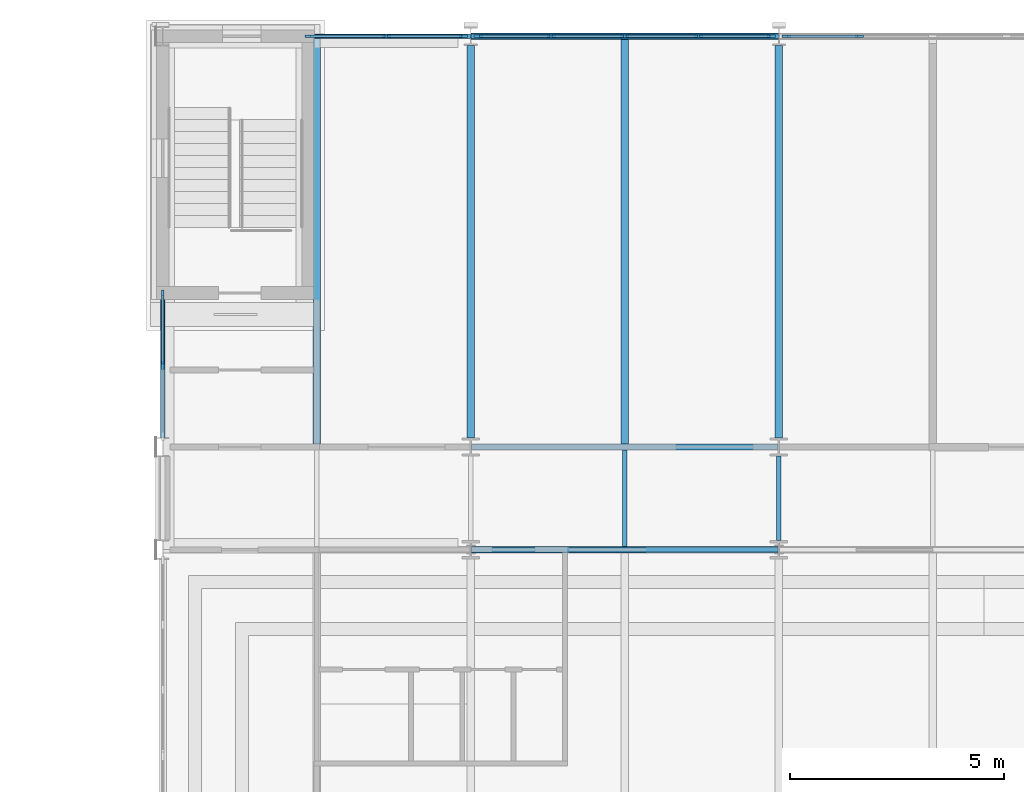
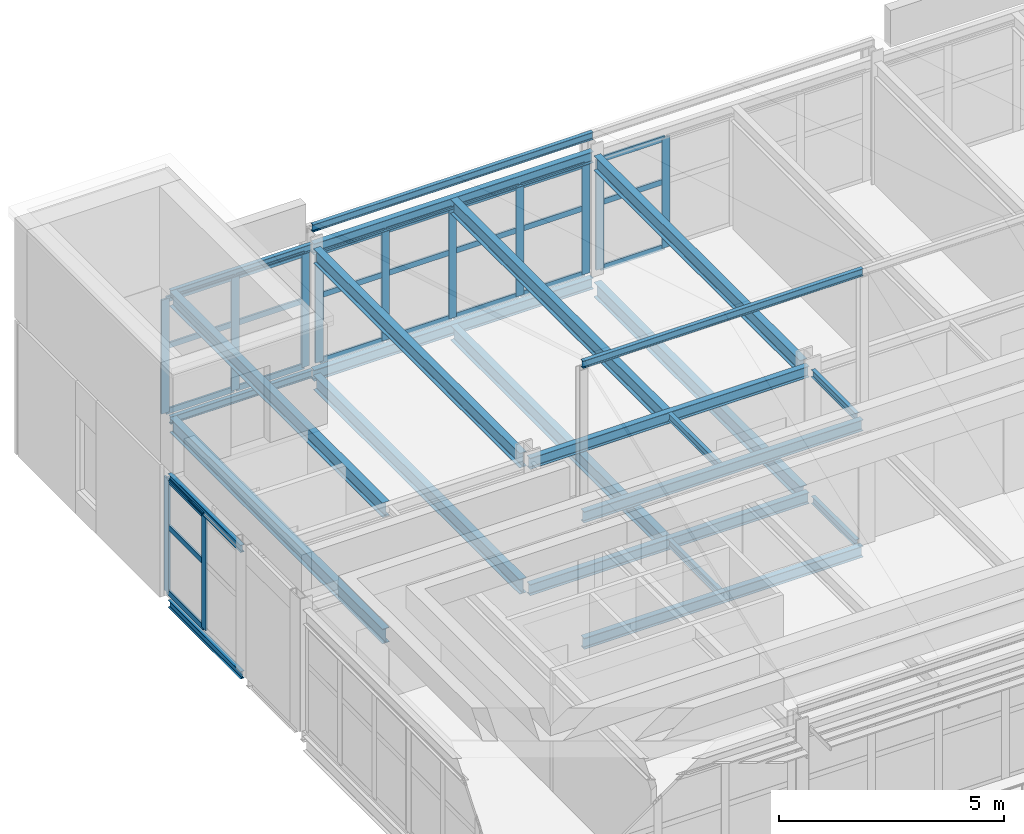
# One storey, part 29 of 68: 36 members, 24 beams, 4 elements without a shape of their own.
"""IFC4 building model written with IfcOpenShell, lengths in metres."""

from ifc_helpers import new_model, si_unit, direction, frame, origin, origin_2d, place, context, subcontext, project, spatial, rectangle, i_section, extrude, material, material_profile, profile_set, type_object, element, aggregate, save


model = new_model("IFC4")

# Units and contexts
model_context = context("Model", 3, precision=1e-05, world=origin(), true_north=direction((0.0, 1.0)))
body_context = subcontext(model_context, "Body", "Model", "MODEL_VIEW")
ifc_project = project(units=[si_unit("LENGTHUNIT", "METRE"), si_unit("AREAUNIT", "SQUARE_METRE"), si_unit("VOLUMEUNIT", "CUBIC_METRE"), si_unit("PLANEANGLEUNIT", "RADIAN"), si_unit("MASSUNIT", "GRAM", prefix="KILO")], contexts=[model_context])

# Site, building, storey
site_placement = place(None, origin())
site = spatial("IfcSite", under=ifc_project, at=site_placement, CompositionType="ELEMENT")
building_placement = place(site_placement, origin())
building = spatial("IfcBuilding", under=site, at=building_placement, Name="Kupolbacken Congress Centre", CompositionType="ELEMENT")
storey_placement = place(building_placement, frame((0.0, 0.0, 25.199951171875)))
storey = spatial("IfcBuildingStorey", under=building, at=storey_placement, Name="L07", CompositionType="ELEMENT", Elevation=25.199951171875)

# Beams
ifc_material_1 = material(Name="Steel S355", Category="steel")
ifc_material_profile_1 = material_profile(ifc_material_1, i_section(OverallWidth=0.10009765625, OverallDepth=0.199951171875, WebThickness=0.005615234375, FlangeThickness=0.008544921875, FilletRadius=0.011962890625, at=origin_2d()), Name="IPE 200")
ifc_profile_set_1 = profile_set([ifc_material_profile_1], Name="Steel S355")
beam_type_1 = type_object("IfcBeamType", Name="B01 beam IPE 200", PredefinedType="BEAM", material=ifc_profile_set_1)
beam_1_placement = place(storey_placement, frame((68.35009765625, 144.0, -0.239990234375), z_axis=(1.0, 0.0, 0.0), x_axis=(0.0, 1.0, 0.0)))
element("IfcBeam", 1, at=beam_1_placement, inside=storey, type_object=beam_type_1, Name="S/floor/T/L07/R025", PredefinedType="BEAM", context=body_context, shape_type="SweptSolid", body=[
    extrude(i_section(OverallWidth=0.10009765625, OverallDepth=0.199951171875, WebThickness=0.005615234375, FlangeThickness=0.008544921875, FilletRadius=0.011962890625, at=origin_2d()), origin(), (0.0, 0.0, 1.0), 3.639404296875),
])
beam_2_placement = place(storey_placement, frame((64.800048828125, 134.625, -0.239990234375), z_axis=(0.0, 1.0, 0.0), x_axis=(-1.0, 0.0, 0.0)))
element("IfcBeam", 2, at=beam_2_placement, inside=storey, type_object=beam_type_1, Name="S/floor/T/L07/S035", PredefinedType="BEAM", context=body_context, shape_type="SweptSolid", body=[
    extrude(i_section(OverallWidth=0.10009765625, OverallDepth=0.199951171875, WebThickness=0.005615234375, FlangeThickness=0.008544921875, FilletRadius=0.011962890625, at=origin_2d()), origin(), (0.0, 0.0, 1.0), 3.22509765625),
])
beam_3_placement = place(storey_placement, frame((75.60009765625, 132.074951171875, -0.239990234375), z_axis=(0.0, 1.0, 0.0), x_axis=(-1.0, 0.0, 0.0)))
element("IfcBeam", 3, at=beam_3_placement, inside=storey, type_object=beam_type_1, Name="S/floor/T/L07/S043", PredefinedType="BEAM", context=body_context, shape_type="SweptSolid", body=[
    extrude(i_section(OverallWidth=0.10009765625, OverallDepth=0.199951171875, WebThickness=0.005615234375, FlangeThickness=0.008544921875, FilletRadius=0.011962890625, at=origin_2d()), origin(), (0.0, 0.0, 1.0), 2.25),
])
beam_4_placement = place(storey_placement, frame((79.199951171875, 132.21240234375, -0.239990234375), z_axis=(0.0, 1.0, 0.0), x_axis=(-1.0, 0.0, 0.0)))
element("IfcBeam", 4, at=beam_4_placement, inside=storey, type_object=beam_type_1, Name="S/floor/T/L07/S046", PredefinedType="BEAM", context=body_context, shape_type="SweptSolid", body=[
    extrude(i_section(OverallWidth=0.10009765625, OverallDepth=0.199951171875, WebThickness=0.005615234375, FlangeThickness=0.008544921875, FilletRadius=0.011962890625, at=origin_2d()), origin(), (0.0, 0.0, 1.0), 1.97509765625),
])
beam_5_placement = place(storey_placement, frame((68.35009765625, 144.0, 3.18994140625), z_axis=(1.0, 0.0, 0.0), x_axis=(0.0, 1.0, 0.0)))
element("IfcBeam", 5, at=beam_5_placement, inside=storey, type_object=beam_type_1, Name="S/floor/T/ROOF/R025", PredefinedType="BEAM", context=body_context, shape_type="SweptSolid", body=[
    extrude(i_section(OverallWidth=0.10009765625, OverallDepth=0.199951171875, WebThickness=0.005615234375, FlangeThickness=0.008544921875, FilletRadius=0.011962890625, at=origin_2d()), origin(), (0.0, 0.0, 1.0), 3.639404296875),
])
beam_6_placement = place(storey_placement, frame((64.800048828125, 134.625, 3.18994140625), z_axis=(0.0, 1.0, 0.0), x_axis=(-1.0, 0.0, 0.0)))
element("IfcBeam", 6, at=beam_6_placement, inside=storey, type_object=beam_type_1, Name="S/floor/T/ROOF/S035", PredefinedType="BEAM", context=body_context, shape_type="SweptSolid", body=[
    extrude(i_section(OverallWidth=0.10009765625, OverallDepth=0.199951171875, WebThickness=0.005615234375, FlangeThickness=0.008544921875, FilletRadius=0.011962890625, at=origin_2d()), origin(), (0.0, 0.0, 1.0), 3.22509765625),
])
beam_7_placement = place(storey_placement, frame((75.60009765625, 132.074951171875, 3.18994140625), z_axis=(0.0, 1.0, 0.0), x_axis=(-1.0, 0.0, 0.0)))
element("IfcBeam", 7, at=beam_7_placement, inside=storey, type_object=beam_type_1, Name="S/floor/T/ROOF/S043", PredefinedType="BEAM", context=body_context, shape_type="SweptSolid", body=[
    extrude(i_section(OverallWidth=0.10009765625, OverallDepth=0.199951171875, WebThickness=0.005615234375, FlangeThickness=0.008544921875, FilletRadius=0.011962890625, at=origin_2d()), origin(), (0.0, 0.0, 1.0), 2.25),
])
beam_8_placement = place(storey_placement, frame((79.199951171875, 132.21240234375, 3.18994140625), z_axis=(0.0, 1.0, 0.0), x_axis=(-1.0, 0.0, 0.0)))
element("IfcBeam", 8, at=beam_8_placement, inside=storey, type_object=beam_type_1, Name="S/floor/T/ROOF/S046", PredefinedType="BEAM", context=body_context, shape_type="SweptSolid", body=[
    extrude(i_section(OverallWidth=0.10009765625, OverallDepth=0.199951171875, WebThickness=0.005615234375, FlangeThickness=0.008544921875, FilletRadius=0.011962890625, at=origin_2d()), origin(), (0.0, 0.0, 1.0), 1.97509765625),
])
for number, where, z_axis, x_axis, name in (
    (9, (72.0, 144.0, 3.699951171875), (1.0, 0.0, 0.0), (0.0, 1.0, 0.0), "E/T/roof/R1/high0"),
    (10, (72.0, 132.0, 7.27294921875), (1.0, 0.0, 0.0), (0.0, 1.0, 0.0), "E/T/roof/R1/ridge0"),
):
    element("IfcBeam", number, at=place(storey_placement, frame(where, z_axis=z_axis, x_axis=x_axis)), inside=storey, type_object=beam_type_1, Name=name, PredefinedType="BEAM", context=body_context, shape_type="SweptSolid", body=[
        extrude(i_section(OverallWidth=0.10009765625, OverallDepth=0.199951171875, WebThickness=0.005615234375, FlangeThickness=0.008544921875, FilletRadius=0.011962890625, at=origin_2d()), origin(), (0.0, 0.0, 1.0), 7.199951171875),
    ])
ifc_material_2 = material(Name="Steel S355", Category="steel")
ifc_material_profile_2 = material_profile(ifc_material_2, i_section(OverallWidth=0.14990234375, OverallDepth=0.300048828125, WebThickness=0.007080078125, FlangeThickness=0.0107421875, FilletRadius=0.014892578125, at=origin_2d()), Name="IPE 300")
ifc_profile_set_2 = profile_set([ifc_material_profile_2], Name="Steel S355")
beam_type_2 = type_object("IfcBeamType", Name="B04 beam IPE 300", PredefinedType="BEAM", material=ifc_profile_set_2)
for number, where, z_axis, x_axis, name in (
    (11, (72.016357421875, 132.0, -0.2900390625), (1.0, 0.0, 0.0), (0.0, 1.0, 0.0), "S/floor/T/L07/R010"),
    (12, (72.016357421875, 134.39990234375, -0.2900390625), (1.0, 0.0, 0.0), (0.0, 1.0, 0.0), "S/floor/T/L07/R018"),
):
    element("IfcBeam", number, at=place(storey_placement, frame(where, z_axis=z_axis, x_axis=x_axis)), inside=storey, type_object=beam_type_2, Name=name, PredefinedType="BEAM", context=body_context, shape_type="SweptSolid", body=[
        extrude(i_section(OverallWidth=0.14990234375, OverallDepth=0.300048828125, WebThickness=0.007080078125, FlangeThickness=0.0107421875, FilletRadius=0.014892578125, at=origin_2d()), origin(), (0.0, 0.0, 1.0), 7.167236328125),
    ])
beam_9_placement = place(storey_placement, frame((72.010498046875, 144.0, -0.2900390625), z_axis=(1.0, 0.0, 0.0), x_axis=(0.0, 1.0, 0.0)))
element("IfcBeam", 13, at=beam_9_placement, inside=storey, type_object=beam_type_2, Name="S/floor/T/L07/R026", PredefinedType="BEAM", context=body_context, shape_type="SweptSolid", body=[
    extrude(i_section(OverallWidth=0.14990234375, OverallDepth=0.300048828125, WebThickness=0.007080078125, FlangeThickness=0.0107421875, FilletRadius=0.014892578125, at=origin_2d()), origin(), (0.0, 0.0, 1.0), 7.178955078125),
])
for number, where, z_axis, x_axis, name in (
    (14, (72.016357421875, 132.0, 3.14013671875), (1.0, 0.0, 0.0), (0.0, 1.0, 0.0), "S/floor/T/ROOF/R010"),
    (15, (72.016357421875, 134.39990234375, 3.14013671875), (1.0, 0.0, 0.0), (0.0, 1.0, 0.0), "S/floor/T/ROOF/R018"),
):
    element("IfcBeam", number, at=place(storey_placement, frame(where, z_axis=z_axis, x_axis=x_axis)), inside=storey, type_object=beam_type_2, Name=name, PredefinedType="BEAM", context=body_context, shape_type="SweptSolid", body=[
        extrude(i_section(OverallWidth=0.14990234375, OverallDepth=0.300048828125, WebThickness=0.007080078125, FlangeThickness=0.0107421875, FilletRadius=0.014892578125, at=origin_2d()), origin(), (0.0, 0.0, 1.0), 7.167236328125),
    ])
beam_10_placement = place(storey_placement, frame((72.010498046875, 144.0, 3.14013671875), z_axis=(1.0, 0.0, 0.0), x_axis=(0.0, 1.0, 0.0)))
element("IfcBeam", 16, at=beam_10_placement, inside=storey, type_object=beam_type_2, Name="S/floor/T/ROOF/R026", PredefinedType="BEAM", context=body_context, shape_type="SweptSolid", body=[
    extrude(i_section(OverallWidth=0.14990234375, OverallDepth=0.300048828125, WebThickness=0.007080078125, FlangeThickness=0.0107421875, FilletRadius=0.014892578125, at=origin_2d()), origin(), (0.0, 0.0, 1.0), 7.178955078125),
])
ifc_material_3 = material(Name="Steel S355", Category="steel")
ifc_material_profile_3 = material_profile(ifc_material_3, i_section(OverallWidth=0.179931640625, OverallDepth=0.39990234375, WebThickness=0.008544921875, FlangeThickness=0.013427734375, FilletRadius=0.02099609375, at=origin_2d()), Name="IPE 400")
ifc_profile_set_3 = profile_set([ifc_material_profile_3], Name="Steel S355")
beam_type_3 = type_object("IfcBeamType", Name="B07 beam IPE 400", PredefinedType="BEAM", material=ifc_profile_set_3)
beam_11_placement = place(storey_placement, frame((68.39990234375, 134.47509765625, -0.33984375), z_axis=(0.0, 1.0, 0.0), x_axis=(-1.0, 0.0, 0.0)))
element("IfcBeam", 17, at=beam_11_placement, inside=storey, type_object=beam_type_3, Name="S/floor/T/L07/S038", PredefinedType="BEAM", context=body_context, shape_type="SweptSolid", body=[
    extrude(i_section(OverallWidth=0.179931640625, OverallDepth=0.39990234375, WebThickness=0.008544921875, FlangeThickness=0.013427734375, FilletRadius=0.02099609375, at=origin_2d()), origin(), (0.0, 0.0, 1.0), 9.474853515625),
])
beam_12_placement = place(storey_placement, frame((72.0, 134.612548828125, -0.33984375), z_axis=(0.0, 1.0, 0.0), x_axis=(-1.0, 0.0, 0.0)))
element("IfcBeam", 18, at=beam_12_placement, inside=storey, type_object=beam_type_3, Name="S/floor/T/L07/S041", PredefinedType="BEAM", context=body_context, shape_type="SweptSolid", body=[
    extrude(i_section(OverallWidth=0.179931640625, OverallDepth=0.39990234375, WebThickness=0.008544921875, FlangeThickness=0.013427734375, FilletRadius=0.02099609375, at=origin_2d()), origin(), (0.0, 0.0, 1.0), 9.17138671875),
])
beam_13_placement = place(storey_placement, frame((75.60009765625, 134.47509765625, -0.33984375), z_axis=(0.0, 1.0, 0.0), x_axis=(-1.0, 0.0, 0.0)))
element("IfcBeam", 19, at=beam_13_placement, inside=storey, type_object=beam_type_3, Name="S/floor/T/L07/S044", PredefinedType="BEAM", context=body_context, shape_type="SweptSolid", body=[
    extrude(i_section(OverallWidth=0.179931640625, OverallDepth=0.39990234375, WebThickness=0.008544921875, FlangeThickness=0.013427734375, FilletRadius=0.02099609375, at=origin_2d()), origin(), (0.0, 0.0, 1.0), 9.449951171875),
])
beam_14_placement = place(storey_placement, frame((79.199951171875, 134.612548828125, -0.33984375), z_axis=(0.0, 1.0, 0.0), x_axis=(-1.0, 0.0, 0.0)))
element("IfcBeam", 20, at=beam_14_placement, inside=storey, type_object=beam_type_3, Name="S/floor/T/L07/S047", PredefinedType="BEAM", context=body_context, shape_type="SweptSolid", body=[
    extrude(i_section(OverallWidth=0.179931640625, OverallDepth=0.39990234375, WebThickness=0.008544921875, FlangeThickness=0.013427734375, FilletRadius=0.02099609375, at=origin_2d()), origin(), (0.0, 0.0, 1.0), 9.17138671875),
])
beam_15_placement = place(storey_placement, frame((68.39990234375, 134.47509765625, 3.090087890625), z_axis=(0.0, 1.0, 0.0), x_axis=(-1.0, 0.0, 0.0)))
element("IfcBeam", 21, at=beam_15_placement, inside=storey, type_object=beam_type_3, Name="S/floor/T/ROOF/S038", PredefinedType="BEAM", context=body_context, shape_type="SweptSolid", body=[
    extrude(i_section(OverallWidth=0.179931640625, OverallDepth=0.39990234375, WebThickness=0.008544921875, FlangeThickness=0.013427734375, FilletRadius=0.02099609375, at=origin_2d()), origin(), (0.0, 0.0, 1.0), 9.474853515625),
])
beam_16_placement = place(storey_placement, frame((72.0, 134.612548828125, 3.090087890625), z_axis=(0.0, 1.0, 0.0), x_axis=(-1.0, 0.0, 0.0)))
element("IfcBeam", 22, at=beam_16_placement, inside=storey, type_object=beam_type_3, Name="S/floor/T/ROOF/S041", PredefinedType="BEAM", context=body_context, shape_type="SweptSolid", body=[
    extrude(i_section(OverallWidth=0.179931640625, OverallDepth=0.39990234375, WebThickness=0.008544921875, FlangeThickness=0.013427734375, FilletRadius=0.02099609375, at=origin_2d()), origin(), (0.0, 0.0, 1.0), 9.17138671875),
])
beam_17_placement = place(storey_placement, frame((75.60009765625, 134.47509765625, 3.090087890625), z_axis=(0.0, 1.0, 0.0), x_axis=(-1.0, 0.0, 0.0)))
element("IfcBeam", 23, at=beam_17_placement, inside=storey, type_object=beam_type_3, Name="S/floor/T/ROOF/S044", PredefinedType="BEAM", context=body_context, shape_type="SweptSolid", body=[
    extrude(i_section(OverallWidth=0.179931640625, OverallDepth=0.39990234375, WebThickness=0.008544921875, FlangeThickness=0.013427734375, FilletRadius=0.02099609375, at=origin_2d()), origin(), (0.0, 0.0, 1.0), 9.449951171875),
])
beam_18_placement = place(storey_placement, frame((79.199951171875, 134.612548828125, 3.090087890625), z_axis=(0.0, 1.0, 0.0), x_axis=(-1.0, 0.0, 0.0)))
element("IfcBeam", 24, at=beam_18_placement, inside=storey, type_object=beam_type_3, Name="S/floor/T/ROOF/S047", PredefinedType="BEAM", context=body_context, shape_type="SweptSolid", body=[
    extrude(i_section(OverallWidth=0.179931640625, OverallDepth=0.39990234375, WebThickness=0.008544921875, FlangeThickness=0.013427734375, FilletRadius=0.02099609375, at=origin_2d()), origin(), (0.0, 0.0, 1.0), 9.17138671875),
])

# Curtain wall, members
ifc_material_4 = material(Name="Aluminium mullion-transom frame with glass", Category="aluminium")
curtain_wall_type = type_object("IfcCurtainWallType", Name="CW1 curtain wall 7200x3600", PredefinedType="NOTDEFINED", material=ifc_material_4)
curtain_wall_1_placement = place(storey_placement, origin())
curtain_wall_1 = element("IfcCurtainWall", 25, at=curtain_wall_1_placement, inside=storey, type_object=curtain_wall_type, Name="E/T/N/L07/109/g0", PredefinedType="NOTDEFINED")
ifc_material_5 = material(Name="Aluminium alloy", Category="aluminium")
ifc_material_profile_4 = material_profile(ifc_material_5, rectangle(XDim=0.050048828125, YDim=0.199951171875, at=origin_2d()), Name="50 x 200")
ifc_profile_set_4 = profile_set([ifc_material_profile_4], Name="Aluminium alloy")
member_type_1 = type_object("IfcMemberType", Name="MU2 mullion 50x200", PredefinedType="MULLION", material=ifc_profile_set_4)
member_1_placement = place(storey_placement, frame((81.07666015625, 144.0, 0.0), z_axis=(0.0, 0.0, 1.0), x_axis=(0.0, -1.0, 0.0)))
member_1 = element("IfcMember", 26, at=member_1_placement, type_object=member_type_1, Name="CW1 mullion 4", PredefinedType="MULLION", context=body_context, shape_type="SweptSolid", body=[
    extrude(rectangle(XDim=0.050048828125, YDim=0.199951171875, at=origin_2d()), origin(), (0.0, 0.0, 1.0), 2.989990234375),
])
member_2_placement = place(storey_placement, frame((79.37841796875, 144.0, 0.0), z_axis=(0.0, 0.0, 1.0), x_axis=(0.0, -1.0, 0.0)))
member_2 = element("IfcMember", 27, at=member_2_placement, type_object=member_type_1, Name="CW1 mullion 5", PredefinedType="MULLION", context=body_context, shape_type="SweptSolid", body=[
    extrude(rectangle(XDim=0.050048828125, YDim=0.199951171875, at=origin_2d()), origin(), (0.0, 0.0, 1.0), 2.989990234375),
])

curtain_wall_2_placement = place(storey_placement, origin())
curtain_wall_2 = element("IfcCurtainWall", 28, at=curtain_wall_2_placement, inside=storey, type_object=curtain_wall_type, Name="E/T/N/L07/110/g0", PredefinedType="NOTDEFINED")
member_3_placement = place(storey_placement, frame((79.021484375, 144.0, 0.0), z_axis=(0.0, 0.0, 1.0), x_axis=(0.0, -1.0, 0.0)))
member_3 = element("IfcMember", 29, at=member_3_placement, type_object=member_type_1, Name="CW1 mullion 1", PredefinedType="MULLION", context=body_context, shape_type="SweptSolid", body=[
    extrude(rectangle(XDim=0.050048828125, YDim=0.199951171875, at=origin_2d()), origin(), (0.0, 0.0, 1.0), 2.989990234375),
])
member_4_placement = place(storey_placement, frame((77.3232421875, 144.0, 0.0), z_axis=(0.0, 0.0, 1.0), x_axis=(0.0, -1.0, 0.0)))
member_4 = element("IfcMember", 30, at=member_4_placement, type_object=member_type_1, Name="CW1 mullion 2", PredefinedType="MULLION", context=body_context, shape_type="SweptSolid", body=[
    extrude(rectangle(XDim=0.050048828125, YDim=0.199951171875, at=origin_2d()), origin(), (0.0, 0.0, 1.0), 2.989990234375),
])
member_5_placement = place(storey_placement, frame((75.60009765625, 144.0, 0.0), z_axis=(0.0, 0.0, 1.0), x_axis=(0.0, -1.0, 0.0)))
member_5 = element("IfcMember", 31, at=member_5_placement, type_object=member_type_1, Name="CW1 mullion 3", PredefinedType="MULLION", context=body_context, shape_type="SweptSolid", body=[
    extrude(rectangle(XDim=0.050048828125, YDim=0.199951171875, at=origin_2d()), origin(), (0.0, 0.0, 1.0), 2.989990234375),
])
member_6_placement = place(storey_placement, frame((73.876708984375, 144.0, 0.0), z_axis=(0.0, 0.0, 1.0), x_axis=(0.0, -1.0, 0.0)))
member_6 = element("IfcMember", 32, at=member_6_placement, type_object=member_type_1, Name="CW1 mullion 4", PredefinedType="MULLION", context=body_context, shape_type="SweptSolid", body=[
    extrude(rectangle(XDim=0.050048828125, YDim=0.199951171875, at=origin_2d()), origin(), (0.0, 0.0, 1.0), 2.989990234375),
])
member_7_placement = place(storey_placement, frame((72.178466796875, 144.0, 0.0), z_axis=(0.0, 0.0, 1.0), x_axis=(0.0, -1.0, 0.0)))
member_7 = element("IfcMember", 33, at=member_7_placement, type_object=member_type_1, Name="CW1 mullion 5", PredefinedType="MULLION", context=body_context, shape_type="SweptSolid", body=[
    extrude(rectangle(XDim=0.050048828125, YDim=0.199951171875, at=origin_2d()), origin(), (0.0, 0.0, 1.0), 2.989990234375),
])

curtain_wall_3_placement = place(storey_placement, origin())
curtain_wall_3 = element("IfcCurtainWall", 34, at=curtain_wall_3_placement, inside=storey, type_object=curtain_wall_type, Name="E/T/N/L07/111/g0", PredefinedType="NOTDEFINED")
member_8_placement = place(storey_placement, frame((71.821533203125, 144.0, 0.0), z_axis=(0.0, 0.0, 1.0), x_axis=(0.0, -1.0, 0.0)))
member_8 = element("IfcMember", 35, at=member_8_placement, type_object=member_type_1, Name="CW1 mullion 1", PredefinedType="MULLION", context=body_context, shape_type="SweptSolid", body=[
    extrude(rectangle(XDim=0.050048828125, YDim=0.199951171875, at=origin_2d()), origin(), (0.0, 0.0, 1.0), 3.090087890625),
])
member_9_placement = place(storey_placement, frame((70.023193359375, 144.0, 0.0), z_axis=(0.0, 0.0, 1.0), x_axis=(0.0, -1.0, 0.0)))
member_9 = element("IfcMember", 36, at=member_9_placement, type_object=member_type_1, Name="CW1 mullion 2", PredefinedType="MULLION", context=body_context, shape_type="SweptSolid", body=[
    extrude(rectangle(XDim=0.050048828125, YDim=0.199951171875, at=origin_2d()), origin(), (0.0, 0.0, 1.0), 3.090087890625),
])
member_10_placement = place(storey_placement, frame((68.22509765625, 144.0, 0.0), z_axis=(0.0, 0.0, 1.0), x_axis=(0.0, -1.0, 0.0)))
member_10 = element("IfcMember", 37, at=member_10_placement, type_object=member_type_1, Name="CW1 mullion 3", PredefinedType="MULLION", context=body_context, shape_type="SweptSolid", body=[
    extrude(rectangle(XDim=0.050048828125, YDim=0.199951171875, at=origin_2d()), origin(), (0.0, 0.0, 1.0), 3.090087890625),
])

curtain_wall_4_placement = place(storey_placement, origin())
curtain_wall_4 = element("IfcCurtainWall", 38, at=curtain_wall_4_placement, inside=storey, type_object=curtain_wall_type, Name="E/T/W/L07/121/g0", PredefinedType="NOTDEFINED")
member_11_placement = place(storey_placement, frame((64.800048828125, 137.97509765625, 0.0), z_axis=(0.0, 0.0, 1.0), x_axis=(1.0, 0.0, 0.0)))
member_11 = element("IfcMember", 39, at=member_11_placement, type_object=member_type_1, Name="CW1 mullion 1", PredefinedType="MULLION", context=body_context, shape_type="SweptSolid", body=[
    extrude(rectangle(XDim=0.050048828125, YDim=0.199951171875, at=origin_2d()), origin(), (0.0, 0.0, 1.0), 3.090087890625),
])
member_12_placement = place(storey_placement, frame((64.800048828125, 136.3125, 0.0), z_axis=(0.0, 0.0, 1.0), x_axis=(1.0, 0.0, 0.0)))
member_12 = element("IfcMember", 40, at=member_12_placement, type_object=member_type_1, Name="CW1 mullion 2", PredefinedType="MULLION", context=body_context, shape_type="SweptSolid", body=[
    extrude(rectangle(XDim=0.050048828125, YDim=0.199951171875, at=origin_2d()), origin(), (0.0, 0.0, 1.0), 3.090087890625),
])

# Member
ifc_material_6 = material(Name="Aluminium alloy", Category="aluminium")
ifc_material_profile_5 = material_profile(ifc_material_6, rectangle(XDim=0.050048828125, YDim=0.14990234375, at=origin_2d()), Name="50 x 150")
ifc_profile_set_5 = profile_set([ifc_material_profile_5], Name="Aluminium alloy")
member_type_2 = type_object("IfcMemberType", Name="TR2 transom 50x150", PredefinedType="MULLION", material=ifc_profile_set_5)
member_13_placement = place(storey_placement, frame((81.0517578125, 144.0, 0.025146484375), z_axis=(-1.0, 0.0, 0.0), x_axis=(0.0, -1.0, 0.0)))
member_13 = element("IfcMember", 41, at=member_13_placement, type_object=member_type_2, Name="CW1 transom 4.1", PredefinedType="MULLION", context=body_context, shape_type="SweptSolid", body=[
    extrude(rectangle(XDim=0.050048828125, YDim=0.14990234375, at=origin_2d()), origin(), (0.0, 0.0, 1.0), 1.648193359375),
])

member_14_placement = place(storey_placement, frame((81.0517578125, 144.0, 1.800048828125), z_axis=(-1.0, 0.0, 0.0), x_axis=(0.0, -1.0, 0.0)))
member_14 = element("IfcMember", 42, at=member_14_placement, type_object=member_type_2, Name="CW1 transom 4.2", PredefinedType="MULLION", context=body_context, shape_type="SweptSolid", body=[
    extrude(rectangle(XDim=0.050048828125, YDim=0.14990234375, at=origin_2d()), origin(), (0.0, 0.0, 1.0), 1.648193359375),
])

member_15_placement = place(storey_placement, frame((81.0517578125, 144.0, 2.965087890625), z_axis=(-1.0, 0.0, 0.0), x_axis=(0.0, -1.0, 0.0)))
member_15 = element("IfcMember", 43, at=member_15_placement, type_object=member_type_2, Name="CW1 transom 4.3", PredefinedType="MULLION", context=body_context, shape_type="SweptSolid", body=[
    extrude(rectangle(XDim=0.050048828125, YDim=0.14990234375, at=origin_2d()), origin(), (0.0, 0.0, 1.0), 1.648193359375),
])

aggregate(curtain_wall_1, [member_1, member_2, member_13, member_14, member_15])

member_16_placement = place(storey_placement, frame((78.99658203125, 144.0, 0.025146484375), z_axis=(-1.0, 0.0, 0.0), x_axis=(0.0, -1.0, 0.0)))
member_16 = element("IfcMember", 44, at=member_16_placement, type_object=member_type_2, Name="CW1 transom 1.1", PredefinedType="MULLION", context=body_context, shape_type="SweptSolid", body=[
    extrude(rectangle(XDim=0.050048828125, YDim=0.14990234375, at=origin_2d()), origin(), (0.0, 0.0, 1.0), 1.6484375),
])

member_17_placement = place(storey_placement, frame((78.99658203125, 144.0, 1.800048828125), z_axis=(-1.0, 0.0, 0.0), x_axis=(0.0, -1.0, 0.0)))
member_17 = element("IfcMember", 45, at=member_17_placement, type_object=member_type_2, Name="CW1 transom 1.2", PredefinedType="MULLION", context=body_context, shape_type="SweptSolid", body=[
    extrude(rectangle(XDim=0.050048828125, YDim=0.14990234375, at=origin_2d()), origin(), (0.0, 0.0, 1.0), 1.6484375),
])

member_18_placement = place(storey_placement, frame((78.99658203125, 144.0, 2.965087890625), z_axis=(-1.0, 0.0, 0.0), x_axis=(0.0, -1.0, 0.0)))
member_18 = element("IfcMember", 46, at=member_18_placement, type_object=member_type_2, Name="CW1 transom 1.3", PredefinedType="MULLION", context=body_context, shape_type="SweptSolid", body=[
    extrude(rectangle(XDim=0.050048828125, YDim=0.14990234375, at=origin_2d()), origin(), (0.0, 0.0, 1.0), 1.6484375),
])

member_19_placement = place(storey_placement, frame((77.29833984375, 144.0, 0.025146484375), z_axis=(-1.0, 0.0, 0.0), x_axis=(0.0, -1.0, 0.0)))
member_19 = element("IfcMember", 47, at=member_19_placement, type_object=member_type_2, Name="CW1 transom 2.1", PredefinedType="MULLION", context=body_context, shape_type="SweptSolid", body=[
    extrude(rectangle(XDim=0.050048828125, YDim=0.14990234375, at=origin_2d()), origin(), (0.0, 0.0, 1.0), 1.67333984375),
])

member_20_placement = place(storey_placement, frame((77.29833984375, 144.0, 1.800048828125), z_axis=(-1.0, 0.0, 0.0), x_axis=(0.0, -1.0, 0.0)))
member_20 = element("IfcMember", 48, at=member_20_placement, type_object=member_type_2, Name="CW1 transom 2.2", PredefinedType="MULLION", context=body_context, shape_type="SweptSolid", body=[
    extrude(rectangle(XDim=0.050048828125, YDim=0.14990234375, at=origin_2d()), origin(), (0.0, 0.0, 1.0), 1.67333984375),
])

member_21_placement = place(storey_placement, frame((77.29833984375, 144.0, 2.965087890625), z_axis=(-1.0, 0.0, 0.0), x_axis=(0.0, -1.0, 0.0)))
member_21 = element("IfcMember", 49, at=member_21_placement, type_object=member_type_2, Name="CW1 transom 2.3", PredefinedType="MULLION", context=body_context, shape_type="SweptSolid", body=[
    extrude(rectangle(XDim=0.050048828125, YDim=0.14990234375, at=origin_2d()), origin(), (0.0, 0.0, 1.0), 1.67333984375),
])

member_22_placement = place(storey_placement, frame((75.574951171875, 144.0, 0.025146484375), z_axis=(-1.0, 0.0, 0.0), x_axis=(0.0, -1.0, 0.0)))
member_22 = element("IfcMember", 50, at=member_22_placement, type_object=member_type_2, Name="CW1 transom 3.1", PredefinedType="MULLION", context=body_context, shape_type="SweptSolid", body=[
    extrude(rectangle(XDim=0.050048828125, YDim=0.14990234375, at=origin_2d()), origin(), (0.0, 0.0, 1.0), 1.673095703125),
])

member_23_placement = place(storey_placement, frame((75.574951171875, 144.0, 1.800048828125), z_axis=(-1.0, 0.0, 0.0), x_axis=(0.0, -1.0, 0.0)))
member_23 = element("IfcMember", 51, at=member_23_placement, type_object=member_type_2, Name="CW1 transom 3.2", PredefinedType="MULLION", context=body_context, shape_type="SweptSolid", body=[
    extrude(rectangle(XDim=0.050048828125, YDim=0.14990234375, at=origin_2d()), origin(), (0.0, 0.0, 1.0), 1.673095703125),
])

member_24_placement = place(storey_placement, frame((75.574951171875, 144.0, 2.965087890625), z_axis=(-1.0, 0.0, 0.0), x_axis=(0.0, -1.0, 0.0)))
member_24 = element("IfcMember", 52, at=member_24_placement, type_object=member_type_2, Name="CW1 transom 3.3", PredefinedType="MULLION", context=body_context, shape_type="SweptSolid", body=[
    extrude(rectangle(XDim=0.050048828125, YDim=0.14990234375, at=origin_2d()), origin(), (0.0, 0.0, 1.0), 1.673095703125),
])

member_25_placement = place(storey_placement, frame((73.851806640625, 144.0, 0.025146484375), z_axis=(-1.0, 0.0, 0.0), x_axis=(0.0, -1.0, 0.0)))
member_25 = element("IfcMember", 53, at=member_25_placement, type_object=member_type_2, Name="CW1 transom 4.1", PredefinedType="MULLION", context=body_context, shape_type="SweptSolid", body=[
    extrude(rectangle(XDim=0.050048828125, YDim=0.14990234375, at=origin_2d()), origin(), (0.0, 0.0, 1.0), 1.648193359375),
])

member_26_placement = place(storey_placement, frame((73.851806640625, 144.0, 1.800048828125), z_axis=(-1.0, 0.0, 0.0), x_axis=(0.0, -1.0, 0.0)))
member_26 = element("IfcMember", 54, at=member_26_placement, type_object=member_type_2, Name="CW1 transom 4.2", PredefinedType="MULLION", context=body_context, shape_type="SweptSolid", body=[
    extrude(rectangle(XDim=0.050048828125, YDim=0.14990234375, at=origin_2d()), origin(), (0.0, 0.0, 1.0), 1.648193359375),
])

member_27_placement = place(storey_placement, frame((73.851806640625, 144.0, 2.965087890625), z_axis=(-1.0, 0.0, 0.0), x_axis=(0.0, -1.0, 0.0)))
member_27 = element("IfcMember", 55, at=member_27_placement, type_object=member_type_2, Name="CW1 transom 4.3", PredefinedType="MULLION", context=body_context, shape_type="SweptSolid", body=[
    extrude(rectangle(XDim=0.050048828125, YDim=0.14990234375, at=origin_2d()), origin(), (0.0, 0.0, 1.0), 1.648193359375),
])

aggregate(curtain_wall_2, [member_3, member_4, member_5, member_6, member_7, member_16, member_17, member_18, member_19, member_20, member_21, member_22, member_23, member_24, member_25, member_26, member_27])

member_28_placement = place(storey_placement, frame((71.79638671875, 144.0, 0.025146484375), z_axis=(-1.0, 0.0, 0.0), x_axis=(0.0, -1.0, 0.0)))
member_28 = element("IfcMember", 56, at=member_28_placement, type_object=member_type_2, Name="CW1 transom 1.1", PredefinedType="MULLION", context=body_context, shape_type="SweptSolid", body=[
    extrude(rectangle(XDim=0.050048828125, YDim=0.14990234375, at=origin_2d()), origin(), (0.0, 0.0, 1.0), 1.748046875),
])

member_29_placement = place(storey_placement, frame((71.79638671875, 144.0, 1.800048828125), z_axis=(-1.0, 0.0, 0.0), x_axis=(0.0, -1.0, 0.0)))
member_29 = element("IfcMember", 57, at=member_29_placement, type_object=member_type_2, Name="CW1 transom 1.2", PredefinedType="MULLION", context=body_context, shape_type="SweptSolid", body=[
    extrude(rectangle(XDim=0.050048828125, YDim=0.14990234375, at=origin_2d()), origin(), (0.0, 0.0, 1.0), 1.748046875),
])

member_30_placement = place(storey_placement, frame((71.79638671875, 144.0, 3.06494140625), z_axis=(-1.0, 0.0, 0.0), x_axis=(0.0, -1.0, 0.0)))
member_30 = element("IfcMember", 58, at=member_30_placement, type_object=member_type_2, Name="CW1 transom 1.3", PredefinedType="MULLION", context=body_context, shape_type="SweptSolid", body=[
    extrude(rectangle(XDim=0.050048828125, YDim=0.14990234375, at=origin_2d()), origin(), (0.0, 0.0, 1.0), 1.748046875),
])

member_31_placement = place(storey_placement, frame((69.998291015625, 144.0, 0.025146484375), z_axis=(-1.0, 0.0, 0.0), x_axis=(0.0, -1.0, 0.0)))
member_31 = element("IfcMember", 59, at=member_31_placement, type_object=member_type_2, Name="CW1 transom 2.1", PredefinedType="MULLION", context=body_context, shape_type="SweptSolid", body=[
    extrude(rectangle(XDim=0.050048828125, YDim=0.14990234375, at=origin_2d()), origin(), (0.0, 0.0, 1.0), 1.748291015625),
])

member_32_placement = place(storey_placement, frame((69.998291015625, 144.0, 1.800048828125), z_axis=(-1.0, 0.0, 0.0), x_axis=(0.0, -1.0, 0.0)))
member_32 = element("IfcMember", 60, at=member_32_placement, type_object=member_type_2, Name="CW1 transom 2.2", PredefinedType="MULLION", context=body_context, shape_type="SweptSolid", body=[
    extrude(rectangle(XDim=0.050048828125, YDim=0.14990234375, at=origin_2d()), origin(), (0.0, 0.0, 1.0), 1.748291015625),
])

member_33_placement = place(storey_placement, frame((69.998291015625, 144.0, 3.06494140625), z_axis=(-1.0, 0.0, 0.0), x_axis=(0.0, -1.0, 0.0)))
member_33 = element("IfcMember", 61, at=member_33_placement, type_object=member_type_2, Name="CW1 transom 2.3", PredefinedType="MULLION", context=body_context, shape_type="SweptSolid", body=[
    extrude(rectangle(XDim=0.050048828125, YDim=0.14990234375, at=origin_2d()), origin(), (0.0, 0.0, 1.0), 1.748291015625),
])

aggregate(curtain_wall_3, [member_8, member_9, member_10, member_28, member_29, member_30, member_31, member_32, member_33])

member_34_placement = place(storey_placement, frame((64.800048828125, 137.949951171875, 0.025146484375), z_axis=(0.0, -1.0, 0.0), x_axis=(1.0, 0.0, 0.0)))
member_34 = element("IfcMember", 62, at=member_34_placement, type_object=member_type_2, Name="CW1 transom 1.1", PredefinedType="MULLION", context=body_context, shape_type="SweptSolid", body=[
    extrude(rectangle(XDim=0.050048828125, YDim=0.14990234375, at=origin_2d()), origin(), (0.0, 0.0, 1.0), 1.612548828125),
])

member_35_placement = place(storey_placement, frame((64.800048828125, 137.949951171875, 1.800048828125), z_axis=(0.0, -1.0, 0.0), x_axis=(1.0, 0.0, 0.0)))
member_35 = element("IfcMember", 63, at=member_35_placement, type_object=member_type_2, Name="CW1 transom 1.2", PredefinedType="MULLION", context=body_context, shape_type="SweptSolid", body=[
    extrude(rectangle(XDim=0.050048828125, YDim=0.14990234375, at=origin_2d()), origin(), (0.0, 0.0, 1.0), 1.612548828125),
])

member_36_placement = place(storey_placement, frame((64.800048828125, 137.949951171875, 3.06494140625), z_axis=(0.0, -1.0, 0.0), x_axis=(1.0, 0.0, 0.0)))
member_36 = element("IfcMember", 64, at=member_36_placement, type_object=member_type_2, Name="CW1 transom 1.3", PredefinedType="MULLION", context=body_context, shape_type="SweptSolid", body=[
    extrude(rectangle(XDim=0.050048828125, YDim=0.14990234375, at=origin_2d()), origin(), (0.0, 0.0, 1.0), 1.612548828125),
])

aggregate(curtain_wall_4, [member_11, member_12, member_34, member_35, member_36])

save(model, "model.ifc")
